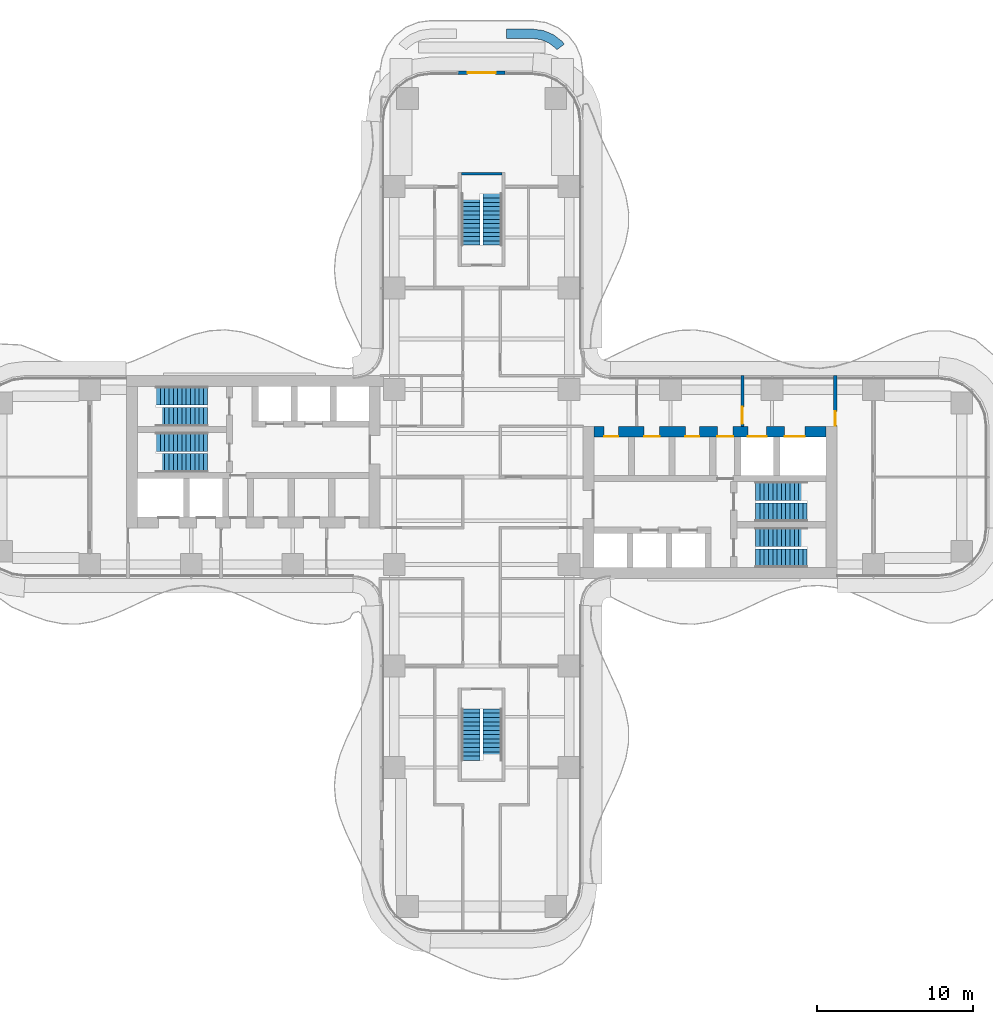
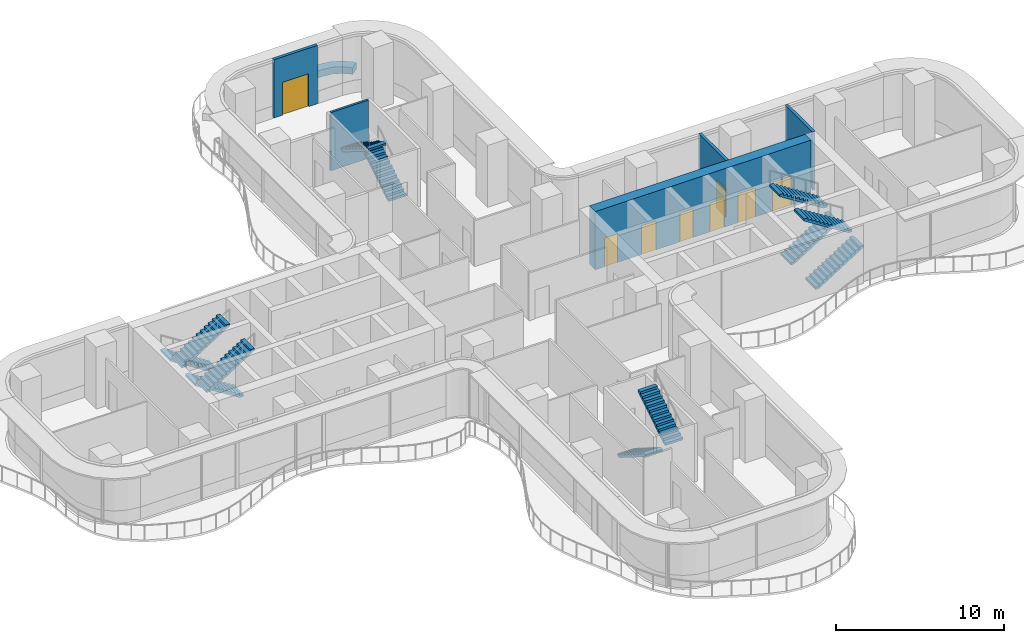
# One storey, part 20 of 22: 12 stair flights, 9 doors, 6 walls, 9 openings, 6 elements without a shape of their own.
"""IFC4 building model written with IfcOpenShell, lengths in metres."""

from ifc_helpers import new_model, si_unit, direction, frame, frame_2d, origin, place, context, subcontext, project, spatial, polyline, rectangle, outline, extrude, source, transform, mapped, material, layer, layer_set, type_object, element, fill, aggregate, save


model = new_model("IFC4")

# Units and contexts
model_context = context("Model", 3, precision=1e-05, world=origin(), true_north=direction((0.0, 1.0)))
body_context = subcontext(model_context, "Body", "Model", "MODEL_VIEW")
ifc_project = project(units=[si_unit("LENGTHUNIT", "METRE"), si_unit("AREAUNIT", "SQUARE_METRE"), si_unit("VOLUMEUNIT", "CUBIC_METRE"), si_unit("PLANEANGLEUNIT", "RADIAN"), si_unit("MASSUNIT", "GRAM", prefix="KILO")], contexts=[model_context])

# Site, building, storey
site_placement = place(None, origin())
site = spatial("IfcSite", under=ifc_project, at=site_placement, CompositionType="ELEMENT")
building_placement = place(site_placement, origin())
building = spatial("IfcBuilding", under=site, at=building_placement, Name="Trellis Farm Tower", CompositionType="ELEMENT")
storey_placement = place(building_placement, frame((0.0, 0.0, 61.0)))
storey = spatial("IfcBuildingStorey", under=building, at=storey_placement, Name="L12", CompositionType="ELEMENT", Elevation=61.0)

# Wall
ifc_material_1 = material(Name="Sandstone faced masonry planter", Category="masonry")
ifc_layer_1 = layer(ifc_material_1, 0.60009765625)
ifc_layer_set_1 = layer_set([ifc_layer_1], Name="PLANTER BED 600")
wall_type_1 = type_object("IfcWallType", Name="PLANTER BED 600", PredefinedType="USERDEFINED", material=ifc_layer_set_1)
placement = place(storey_placement, origin())
element("IfcWall", 1, at=placement, inside=storey, type_object=wall_type_1, Name="PLANTER bed", ObjectType="PLANTER", PredefinedType="USERDEFINED", context=body_context, shape_type="SweptSolid", body=[
    extrude(outline(polyline([(3.947509765625, 28.603515625), (4.59765625, 28.334228515625), (5.15576171875, 27.90576171875), (5.29052734375, 27.730224609375), (4.814697265625, 27.364990234375), (4.727783203125, 27.477783203125), (4.294921875, 27.81005859375), (3.791015625, 28.018798828125), (3.174560546875, 28.10009765625), (1.60009765625, 28.10009765625), (1.60009765625, 28.699951171875), (3.214111328125, 28.699951171875), (3.947509765625, 28.603515625)])), origin(), (0.0, 0.0, 1.0), 0.5),
])

# Wall, opening, door
ifc_material_2 = material(Name="Masonry blockwork", Category="masonry")
ifc_layer_2 = layer(ifc_material_2, 0.199951171875)
ifc_layer_set_2 = layer_set([ifc_layer_2], Name="FIRE LOBBY PARTITION 200 BLOCKWORK")
wall_type_2 = type_object("IfcWallType", Name="FIRE LOBBY PARTITION 200 BLOCKWORK", PredefinedType="PARTITIONING", material=ifc_layer_set_2)
shared_shape_1 = source(origin(), body_context, "Body", "SweptSolid", [
    extrude(rectangle(XDim=3.25, YDim=0.199951171875, at=frame_2d((1.625, 0.0))), origin(), (0.0, 0.0, 1.0), 4.25),
])
wall_2_placement = place(storey_placement, frame((16.699951171875, 3.25, 0.0), z_axis=(0.0, 0.0, 1.0), x_axis=(0.0, 1.0, 0.0)))
wall_2 = element("IfcWall", 2, at=wall_2_placement, inside=storey, type_object=wall_type_2, Name="Fire-fighting lobby partition", PredefinedType="PARTITIONING", context=body_context, shape_type="MappedRepresentation", body=[
    mapped(shared_shape_1, transform((0.0, 0.0, 0.0))),
])
shared_shape_2 = source(origin(), body_context, "Body", "SweptSolid", [
    extrude(rectangle(XDim=1.10009765625, YDim=2.10009765625, at=frame_2d((0.550048828125, 1.050048828125))), frame((0.0, 0.110107421875, 0.0), z_axis=(0.0, -1.0, 0.0), x_axis=(1.0, 0.0, 0.0)), (0.0, 0.0, 1.0), 0.22021484375),
])
opening_1_placement = place(wall_2_placement, frame((0.14990234375, 0.0, 0.0)))
opening_1 = element("IfcOpeningElement", 3, at=opening_1_placement, cuts=wall_2, Name="Opening DC7", PredefinedType="OPENING", context=body_context, shape_type="MappedRepresentation", body=[
    mapped(shared_shape_2, transform((0.0, 0.0, 0.0))),
])
ifc_material_3 = material(Name="Steel", Category="steel")
door_type_1 = type_object("IfcDoorType", Name="CORE FIRE DOOR 1100 X 2100", OperationType="NOTDEFINED", PredefinedType="DOOR", material=ifc_material_3)
shared_shape_3 = source(origin(), body_context, "Body", "SweptSolid", [
    extrude(rectangle(XDim=1.10009765625, YDim=2.10009765625, at=frame_2d((0.550048828125, 1.050048828125))), frame((0.0, 0.02490234375, 0.0), z_axis=(0.0, -1.0, 0.0), x_axis=(1.0, 0.0, 0.0)), (0.0, 0.0, 1.0), 0.050048828125),
])
door_1_placement = place(opening_1_placement, origin())
door_1 = element("IfcDoor", 4, at=door_1_placement, inside=storey, type_object=door_type_1, Name="Core door", OperationType="SINGLE_SWING_RIGHT", OverallHeight=2.10009765625, OverallWidth=1.10009765625, PredefinedType="DOOR", context=body_context, shape_type="MappedRepresentation", body=[
    mapped(shared_shape_3, transform((0.0, 0.0, 0.0))),
])
fill(opening_1, door_1)

wall_3_placement = place(storey_placement, frame((22.64990234375, 3.25, 0.0), z_axis=(0.0, 0.0, 1.0), x_axis=(0.0, 1.0, 0.0)))
wall_3 = element("IfcWall", 5, at=wall_3_placement, inside=storey, type_object=wall_type_2, Name="Fire-fighting lobby partition", PredefinedType="PARTITIONING", context=body_context, shape_type="MappedRepresentation", body=[
    mapped(shared_shape_1, transform((0.0, 0.0, 0.0))),
])
shared_shape_4 = source(origin(), body_context, "Body", "SweptSolid", [
    extrude(rectangle(XDim=0.89990234375, YDim=2.10009765625, at=frame_2d((0.449951171875, 1.050048828125))), frame((0.0, 0.110107421875, 0.0), z_axis=(0.0, -1.0, 0.0), x_axis=(1.0, 0.0, 0.0)), (0.0, 0.0, 1.0), 0.22021484375),
])
opening_2_placement = place(wall_3_placement, frame((0.050048828125, 0.0, 0.0)))
opening_2 = element("IfcOpeningElement", 6, at=opening_2_placement, cuts=wall_3, Name="Opening DC8", PredefinedType="OPENING", context=body_context, shape_type="MappedRepresentation", body=[
    mapped(shared_shape_4, transform((0.0, 0.0, 0.0))),
])
door_type_2 = type_object("IfcDoorType", Name="CORE FIRE DOOR 900 X 2100", OperationType="NOTDEFINED", PredefinedType="DOOR", material=ifc_material_3)
shared_shape_5 = source(origin(), body_context, "Body", "SweptSolid", [
    extrude(rectangle(XDim=0.89990234375, YDim=2.10009765625, at=frame_2d((0.449951171875, 1.050048828125))), frame((0.0, 0.02490234375, 0.0), z_axis=(0.0, -1.0, 0.0), x_axis=(1.0, 0.0, 0.0)), (0.0, 0.0, 1.0), 0.050048828125),
])
door_2_placement = place(opening_2_placement, origin())
door_2 = element("IfcDoor", 7, at=door_2_placement, inside=storey, type_object=door_type_2, Name="Core door", OperationType="SINGLE_SWING_RIGHT", OverallHeight=2.10009765625, OverallWidth=0.89990234375, PredefinedType="DOOR", context=body_context, shape_type="MappedRepresentation", body=[
    mapped(shared_shape_5, transform((0.0, 0.0, 0.0))),
])
fill(opening_2, door_2)

# Wall, openings, doors
ifc_material_4 = material(Name="Concrete C80/95", Category="concrete")
ifc_layer_3 = layer(ifc_material_4, 0.699951171875)
ifc_layer_set_3 = layer_set([ifc_layer_3], Name="CORE OUTER WALL 700 CONCRETE C80/95")
wall_type_3 = type_object("IfcWallType", Name="CORE OUTER WALL 700 CONCRETE C80/95", PredefinedType="SHEAR", material=ifc_layer_set_3)
shared_shape_6 = source(origin(), body_context, "Body", "SweptSolid", [
    extrude(rectangle(XDim=14.85009765625, YDim=0.699951171875, at=frame_2d((7.425048828125, 0.0))), origin(), (0.0, 0.0, 1.0), 4.25),
])
wall_4_placement = place(storey_placement, frame((7.199951171875, 2.89990234375, 0.0), z_axis=(0.0, 0.0, 1.0), x_axis=(1.0, 0.0, 0.0)))
wall_4 = element("IfcWall", 8, at=wall_4_placement, inside=storey, type_object=wall_type_3, Name="Core wall", PredefinedType="SHEAR", context=body_context, shape_type="MappedRepresentation", body=[
    mapped(shared_shape_6, transform((0.0, 0.0, 0.0))),
])
shared_shape_7 = source(origin(), body_context, "Body", "SweptSolid", [
    extrude(rectangle(XDim=1.300048828125, YDim=2.10009765625, at=frame_2d((0.64990234375, 1.050048828125))), frame((0.0, 0.360107421875, 0.0), z_axis=(0.0, -1.0, 0.0), x_axis=(1.0, 0.0, 0.0)), (0.0, 0.0, 1.0), 0.72021484375),
])
opening_3_placement = place(wall_4_placement, frame((12.199951171875, 0.0, 0.0)))
opening_3 = element("IfcOpeningElement", 9, at=opening_3_placement, cuts=wall_4, Name="Opening LD7", PredefinedType="OPENING", context=body_context, shape_type="MappedRepresentation", body=[
    mapped(shared_shape_7, transform((0.0, 0.0, 0.0))),
])
shared_shape_8 = source(origin(), body_context, "Body", "SweptSolid", [
    extrude(rectangle(XDim=1.199951171875, YDim=2.10009765625, at=frame_2d((0.60009765625, 1.050048828125))), frame((0.0, 0.360107421875, 0.0), z_axis=(0.0, -1.0, 0.0), x_axis=(1.0, 0.0, 0.0)), (0.0, 0.0, 1.0), 0.72021484375),
])
opening_4_placement = place(wall_4_placement, frame((9.85009765625, 0.0, 0.0)))
opening_4 = element("IfcOpeningElement", 10, at=opening_4_placement, cuts=wall_4, Name="Opening LD8", PredefinedType="OPENING", context=body_context, shape_type="MappedRepresentation", body=[
    mapped(shared_shape_8, transform((0.0, 0.0, 0.0))),
])
shared_shape_9 = source(origin(), body_context, "Body", "SweptSolid", [
    extrude(rectangle(XDim=1.0, YDim=2.10009765625, at=frame_2d((0.5, 1.050048828125))), frame((0.0, 0.360107421875, 0.0), z_axis=(0.0, -1.0, 0.0), x_axis=(1.0, 0.0, 0.0)), (0.0, 0.0, 1.0), 0.72021484375),
])
opening_5_placement = place(wall_4_placement, frame((7.89990234375, 0.0, 0.0)))
opening_5 = element("IfcOpeningElement", 11, at=opening_5_placement, cuts=wall_4, Name="Opening DC6", PredefinedType="OPENING", context=body_context, shape_type="MappedRepresentation", body=[
    mapped(shared_shape_9, transform((0.0, 0.0, 0.0))),
])
shared_shape_10 = source(origin(), body_context, "Body", "SweptSolid", [
    extrude(rectangle(XDim=0.89990234375, YDim=2.10009765625, at=frame_2d((0.449951171875, 1.050048828125))), frame((0.0, 0.360107421875, 0.0), z_axis=(0.0, -1.0, 0.0), x_axis=(1.0, 0.0, 0.0)), (0.0, 0.0, 1.0), 0.72021484375),
])
opening_6_placement = place(wall_4_placement, frame((0.64990234375, 0.0, 0.0)))
opening_6 = element("IfcOpeningElement", 12, at=opening_6_placement, cuts=wall_4, Name="Opening DC11", PredefinedType="OPENING", context=body_context, shape_type="MappedRepresentation", body=[
    mapped(shared_shape_10, transform((0.0, 0.0, 0.0))),
])
opening_7_placement = place(wall_4_placement, frame((3.199951171875, 0.0, 0.0)))
opening_7 = element("IfcOpeningElement", 13, at=opening_7_placement, cuts=wall_4, Name="Opening DC26", PredefinedType="OPENING", context=body_context, shape_type="MappedRepresentation", body=[
    mapped(shared_shape_9, transform((0.0, 0.0, 0.0))),
])
opening_8_placement = place(wall_4_placement, frame((5.85009765625, 0.0, 0.0)))
opening_8 = element("IfcOpeningElement", 14, at=opening_8_placement, cuts=wall_4, Name="Opening DC35", PredefinedType="OPENING", context=body_context, shape_type="MappedRepresentation", body=[
    mapped(shared_shape_10, transform((0.0, 0.0, 0.0))),
])
door_type_3 = type_object("IfcDoorType", Name="CORE FIRE DOOR 1000 X 2100", OperationType="NOTDEFINED", PredefinedType="DOOR", material=ifc_material_3)
shared_shape_11 = source(origin(), body_context, "Body", "SweptSolid", [
    extrude(rectangle(XDim=1.0, YDim=2.10009765625, at=frame_2d((0.5, 1.050048828125))), frame((0.0, -0.27490234375, 0.0), z_axis=(0.0, -1.0, 0.0), x_axis=(1.0, 0.0, 0.0)), (0.0, 0.0, 1.0), 0.050048828125),
])
door_3_placement = place(opening_5_placement, origin())
door_3 = element("IfcDoor", 15, at=door_3_placement, inside=storey, type_object=door_type_3, Name="Core door", OperationType="SINGLE_SWING_LEFT", OverallHeight=2.10009765625, OverallWidth=1.0, PredefinedType="DOOR", context=body_context, shape_type="MappedRepresentation", body=[
    mapped(shared_shape_11, transform((0.0, 0.0, 0.0))),
])
fill(opening_5, door_3)
door_4_placement = place(opening_7_placement, origin())
door_4 = element("IfcDoor", 16, at=door_4_placement, inside=storey, type_object=door_type_3, Name="Core door", OperationType="SINGLE_SWING_RIGHT", OverallHeight=2.10009765625, OverallWidth=1.0, PredefinedType="DOOR", context=body_context, shape_type="MappedRepresentation", body=[
    mapped(shared_shape_11, transform((0.0, 0.0, 0.0))),
])
fill(opening_7, door_4)
shared_shape_12 = source(origin(), body_context, "Body", "SweptSolid", [
    extrude(rectangle(XDim=0.89990234375, YDim=2.10009765625, at=frame_2d((0.449951171875, 1.050048828125))), frame((0.0, -0.27490234375, 0.0), z_axis=(0.0, -1.0, 0.0), x_axis=(1.0, 0.0, 0.0)), (0.0, 0.0, 1.0), 0.050048828125),
])
door_5_placement = place(opening_6_placement, origin())
door_5 = element("IfcDoor", 17, at=door_5_placement, inside=storey, type_object=door_type_2, Name="Core door", OperationType="SINGLE_SWING_LEFT", OverallHeight=2.10009765625, OverallWidth=0.89990234375, PredefinedType="DOOR", context=body_context, shape_type="MappedRepresentation", body=[
    mapped(shared_shape_12, transform((0.0, 0.0, 0.0))),
])
fill(opening_6, door_5)
door_6_placement = place(opening_8_placement, origin())
door_6 = element("IfcDoor", 18, at=door_6_placement, inside=storey, type_object=door_type_2, Name="Core door", OperationType="SINGLE_SWING_LEFT", OverallHeight=2.10009765625, OverallWidth=0.89990234375, PredefinedType="DOOR", context=body_context, shape_type="MappedRepresentation", body=[
    mapped(shared_shape_12, transform((0.0, 0.0, 0.0))),
])
fill(opening_8, door_6)
ifc_material_5 = material(Name="Stainless steel", Category="steel")
door_type_4 = type_object("IfcDoorType", Name="LIFT LANDING DOOR 1300 X 2100", OperationType="DOUBLE_DOOR_SLIDING", PredefinedType="DOOR", material=ifc_material_5)
shared_shape_13 = source(origin(), body_context, "Body", "SweptSolid", [
    extrude(rectangle(XDim=1.300048828125, YDim=2.10009765625, at=frame_2d((0.64990234375, 1.050048828125))), frame((0.0, -0.27490234375, 0.0), z_axis=(0.0, -1.0, 0.0), x_axis=(1.0, 0.0, 0.0)), (0.0, 0.0, 1.0), 0.050048828125),
])
door_7_placement = place(opening_3_placement, origin())
door_7 = element("IfcDoor", 19, at=door_7_placement, inside=storey, type_object=door_type_4, Name="Lift landing door", OperationType="DOUBLE_DOOR_SLIDING", OverallHeight=2.10009765625, OverallWidth=1.300048828125, PredefinedType="DOOR", context=body_context, shape_type="MappedRepresentation", body=[
    mapped(shared_shape_13, transform((0.0, 0.0, 0.0))),
])
fill(opening_3, door_7)
door_type_5 = type_object("IfcDoorType", Name="LIFT LANDING DOOR 1200 X 2100", OperationType="DOUBLE_DOOR_SLIDING", PredefinedType="DOOR", material=ifc_material_5)
shared_shape_14 = source(origin(), body_context, "Body", "SweptSolid", [
    extrude(rectangle(XDim=1.199951171875, YDim=2.10009765625, at=frame_2d((0.60009765625, 1.050048828125))), frame((0.0, -0.27490234375, 0.0), z_axis=(0.0, -1.0, 0.0), x_axis=(1.0, 0.0, 0.0)), (0.0, 0.0, 1.0), 0.050048828125),
])
door_8_placement = place(opening_4_placement, origin())
door_8 = element("IfcDoor", 20, at=door_8_placement, inside=storey, type_object=door_type_5, Name="Lift landing door", OperationType="DOUBLE_DOOR_SLIDING", OverallHeight=2.10009765625, OverallWidth=1.199951171875, PredefinedType="DOOR", context=body_context, shape_type="MappedRepresentation", body=[
    mapped(shared_shape_14, transform((0.0, 0.0, 0.0))),
])
fill(opening_4, door_8)

# Wall
ifc_layer_4 = layer(ifc_material_4, 0.14990234375)
ifc_layer_set_4 = layer_set([ifc_layer_4], Name="CORE STAIR ENCLOSURE WALL 150 CONCRETE C80/95")
wall_type_4 = type_object("IfcWallType", Name="CORE STAIR ENCLOSURE WALL 150 CONCRETE C80/95", PredefinedType="SHEAR", material=ifc_layer_set_4)
shared_shape_15 = source(origin(), body_context, "Body", "SweptSolid", [
    extrude(rectangle(XDim=2.60009765625, YDim=0.14990234375, at=frame_2d((1.300048828125, 0.0))), origin(), (0.0, 0.0, 1.0), 4.25),
])
wall_5_placement = place(storey_placement, frame((-1.300048828125, 19.425048828125, 0.0), z_axis=(0.0, 0.0, 1.0), x_axis=(1.0, 0.0, 0.0)))
element("IfcWall", 21, at=wall_5_placement, inside=storey, type_object=wall_type_4, Name="Stair enclosure wall", PredefinedType="SHEAR", context=body_context, shape_type="MappedRepresentation", body=[
    mapped(shared_shape_15, transform((0.0, 0.0, 0.0))),
])

# Wall, opening, door
ifc_material_6 = material(Name="Sandstone faced insulated wall", Category="masonry")
ifc_layer_5 = layer(ifc_material_6, 0.199951171875)
ifc_layer_set_5 = layer_set([ifc_layer_5], Name="EXTERNAL INFILL WALL 200")
wall_type_5 = type_object("IfcWallType", Name="EXTERNAL INFILL WALL 200", PredefinedType="SOLIDWALL", material=ifc_layer_set_5)
shared_shape_16 = source(origin(), body_context, "Body", "SweptSolid", [
    extrude(rectangle(XDim=3.0, YDim=0.199951171875, at=frame_2d((1.5, 0.0))), origin(), (0.0, 0.0, 1.0), 4.25),
])
wall_6_placement = place(storey_placement, frame((1.5, 25.89990234375, 0.0), z_axis=(0.0, 0.0, 1.0), x_axis=(-1.0, 0.0, 0.0)))
wall_6 = element("IfcWall", 22, at=wall_6_placement, inside=storey, type_object=wall_type_5, Name="EW1 02", PredefinedType="SOLIDWALL", context=body_context, shape_type="MappedRepresentation", body=[
    mapped(shared_shape_16, transform((0.0, 0.0, 0.0))),
])
shared_shape_17 = source(origin(), body_context, "Body", "SweptSolid", [
    extrude(rectangle(XDim=1.800048828125, YDim=2.39990234375, at=frame_2d((0.89990234375, 1.199951171875))), frame((0.0, 0.110107421875, 0.0), z_axis=(0.0, -1.0, 0.0), x_axis=(1.0, 0.0, 0.0)), (0.0, 0.0, 1.0), 0.22021484375),
])
opening_9_placement = place(wall_6_placement, frame((0.60009765625, 0.0, 0.0)))
opening_9 = element("IfcOpeningElement", 23, at=opening_9_placement, cuts=wall_6, Name="Opening ED1", PredefinedType="OPENING", context=body_context, shape_type="MappedRepresentation", body=[
    mapped(shared_shape_17, transform((0.0, 0.0, 0.0))),
])
ifc_material_7 = material(Name="Aluminium framed glazed door", Category="aluminium")
door_type_6 = type_object("IfcDoorType", Name="BALCONY DOOR 1800x2400", OperationType="DOUBLE_DOOR_SINGLE_SWING", PredefinedType="DOOR", material=ifc_material_7)
shared_shape_18 = source(origin(), body_context, "Body", "SweptSolid", [
    extrude(rectangle(XDim=1.800048828125, YDim=2.39990234375, at=frame_2d((0.89990234375, 1.199951171875))), frame((0.0, 0.02490234375, 0.0), z_axis=(0.0, -1.0, 0.0), x_axis=(1.0, 0.0, 0.0)), (0.0, 0.0, 1.0), 0.050048828125),
])
door_9_placement = place(opening_9_placement, origin())
door_9 = element("IfcDoor", 24, at=door_9_placement, inside=storey, type_object=door_type_6, Name="Balcony door", OperationType="DOUBLE_DOOR_SINGLE_SWING", OverallHeight=2.39990234375, OverallWidth=1.800048828125, PredefinedType="DOOR", context=body_context, shape_type="MappedRepresentation", body=[
    mapped(shared_shape_18, transform((0.0, 0.0, 0.0))),
])
fill(opening_9, door_9)

# Stair, stair flights
ifc_material_8 = material(Name="Concrete C50/60", Category="concrete")
stair_type = type_object("IfcStairType", Name="CORE EXIT STAIR 26 RISERS 173 MM", PredefinedType="HALF_TURN_STAIR", material=ifc_material_8)
stair_1 = element("IfcStair", 25, at=placement, inside=storey, type_object=stair_type, Name="Exit stair N", PredefinedType="HALF_TURN_STAIR")
stair_flight_type = type_object("IfcStairFlightType", Name="STAIR FLIGHT 13 RISERS 173 MM", PredefinedType="STRAIGHT", material=ifc_material_8)
shared_shape_19 = source(origin(), body_context, "Body", "SweptSolid", [
    extrude(outline(polyline([(0.0, 0.0), (0.0, 0.173095703125), (0.27490234375, 0.173095703125), (0.27490234375, 0.34619140625), (0.550048828125, 0.34619140625), (0.550048828125, 0.519287109375), (0.824951171875, 0.519287109375), (0.824951171875, 0.6923828125), (1.10009765625, 0.6923828125), (1.10009765625, 0.865478515625), (1.375, 0.865478515625), (1.375, 1.03857421875), (1.64990234375, 1.03857421875), (1.64990234375, 1.21142578125), (1.925048828125, 1.21142578125), (1.925048828125, 1.384521484375), (2.199951171875, 1.384521484375), (2.199951171875, 1.5576171875), (2.47509765625, 1.5576171875), (2.47509765625, 1.730712890625), (2.75, 1.730712890625), (2.75, 1.90380859375), (3.02490234375, 1.90380859375), (3.02490234375, 2.076904296875), (3.300048828125, 2.076904296875), (3.300048828125, 2.25), (3.300048828125, 1.92333984375), (0.243896484375, 0.0), (0.0, 0.0)])), frame((0.0, 0.60009765625, 0.0), z_axis=(0.0, -1.0, 0.0), x_axis=(1.0, 0.0, 0.0)), (0.0, 0.0, 1.0), 1.199951171875),
])
stair_flight_1_placement = place(storey_placement, frame((0.699951171875, 14.85009765625, 0.0), z_axis=(0.0, 0.0, 1.0), x_axis=(0.0, 1.0, 0.0)))
stair_flight_1 = element("IfcStairFlight", 26, at=stair_flight_1_placement, type_object=stair_flight_type, Name="STN flight 1", NumberOfRisers=13, NumberOfTreads=12, PredefinedType="STRAIGHT", RiserHeight=0.173076923, TreadLength=0.275, context=body_context, shape_type="MappedRepresentation", body=[
    mapped(shared_shape_19, transform((0.0, 0.0, 0.0))),
])
stair_flight_2_placement = place(storey_placement, frame((-0.699951171875, 18.14990234375, 2.25), z_axis=(0.0, 0.0, 1.0), x_axis=(0.0, -1.0, 0.0)))
stair_flight_2 = element("IfcStairFlight", 27, at=stair_flight_2_placement, type_object=stair_flight_type, Name="STN flight 2", NumberOfRisers=13, NumberOfTreads=12, PredefinedType="STRAIGHT", RiserHeight=0.173076923, TreadLength=0.275, context=body_context, shape_type="MappedRepresentation", body=[
    mapped(shared_shape_19, transform((0.0, 0.0, 0.0))),
])
aggregate(stair_1, [stair_flight_1, stair_flight_2])

stair_2 = element("IfcStair", 28, at=placement, inside=storey, type_object=stair_type, Name="Exit stair S", PredefinedType="HALF_TURN_STAIR")
stair_flight_3_placement = place(storey_placement, frame((-0.699951171875, -14.85009765625, 0.0), z_axis=(0.0, 0.0, 1.0), x_axis=(0.0, -1.0, 0.0)))
stair_flight_3 = element("IfcStairFlight", 29, at=stair_flight_3_placement, type_object=stair_flight_type, Name="STS flight 1", NumberOfRisers=13, NumberOfTreads=12, PredefinedType="STRAIGHT", RiserHeight=0.173076923, TreadLength=0.275, context=body_context, shape_type="MappedRepresentation", body=[
    mapped(shared_shape_19, transform((0.0, 0.0, 0.0))),
])
stair_flight_4_placement = place(storey_placement, frame((0.699951171875, -18.14990234375, 2.25), z_axis=(0.0, 0.0, 1.0), x_axis=(0.0, 1.0, 0.0)))
stair_flight_4 = element("IfcStairFlight", 30, at=stair_flight_4_placement, type_object=stair_flight_type, Name="STS flight 2", NumberOfRisers=13, NumberOfTreads=12, PredefinedType="STRAIGHT", RiserHeight=0.173076923, TreadLength=0.275, context=body_context, shape_type="MappedRepresentation", body=[
    mapped(shared_shape_19, transform((0.0, 0.0, 0.0))),
])
aggregate(stair_2, [stair_flight_3, stair_flight_4])

stair_3 = element("IfcStair", 31, at=placement, inside=storey, type_object=stair_type, Name="Exit stair E1", PredefinedType="HALF_TURN_STAIR")
stair_flight_5_placement = place(storey_placement, frame((17.550048828125, -5.199951171875, 0.0), z_axis=(0.0, 0.0, 1.0), x_axis=(1.0, 0.0, 0.0)))
stair_flight_5 = element("IfcStairFlight", 32, at=stair_flight_5_placement, type_object=stair_flight_type, Name="STE1 flight 1", NumberOfRisers=13, NumberOfTreads=12, PredefinedType="STRAIGHT", RiserHeight=0.173076923, TreadLength=0.275, context=body_context, shape_type="MappedRepresentation", body=[
    mapped(shared_shape_19, transform((0.0, 0.0, 0.0))),
])
stair_flight_6_placement = place(storey_placement, frame((20.85009765625, -3.85009765625, 2.25), z_axis=(0.0, 0.0, 1.0), x_axis=(-1.0, 0.0, 0.0)))
stair_flight_6 = element("IfcStairFlight", 33, at=stair_flight_6_placement, type_object=stair_flight_type, Name="STE1 flight 2", NumberOfRisers=13, NumberOfTreads=12, PredefinedType="STRAIGHT", RiserHeight=0.173076923, TreadLength=0.275, context=body_context, shape_type="MappedRepresentation", body=[
    mapped(shared_shape_19, transform((0.0, 0.0, 0.0))),
])
aggregate(stair_3, [stair_flight_5, stair_flight_6])

stair_4 = element("IfcStair", 34, at=placement, inside=storey, type_object=stair_type, Name="Exit stair E2", PredefinedType="HALF_TURN_STAIR")
stair_flight_7_placement = place(storey_placement, frame((17.550048828125, -2.25, 0.0), z_axis=(0.0, 0.0, 1.0), x_axis=(1.0, 0.0, 0.0)))
stair_flight_7 = element("IfcStairFlight", 35, at=stair_flight_7_placement, type_object=stair_flight_type, Name="STE2 flight 1", NumberOfRisers=13, NumberOfTreads=12, PredefinedType="STRAIGHT", RiserHeight=0.173076923, TreadLength=0.275, context=body_context, shape_type="MappedRepresentation", body=[
    mapped(shared_shape_19, transform((0.0, 0.0, 0.0))),
])
stair_flight_8_placement = place(storey_placement, frame((20.85009765625, -0.89990234375, 2.25), z_axis=(0.0, 0.0, 1.0), x_axis=(-1.0, 0.0, 0.0)))
stair_flight_8 = element("IfcStairFlight", 36, at=stair_flight_8_placement, type_object=stair_flight_type, Name="STE2 flight 2", NumberOfRisers=13, NumberOfTreads=12, PredefinedType="STRAIGHT", RiserHeight=0.173076923, TreadLength=0.275, context=body_context, shape_type="MappedRepresentation", body=[
    mapped(shared_shape_19, transform((0.0, 0.0, 0.0))),
])
aggregate(stair_4, [stair_flight_7, stair_flight_8])

stair_5 = element("IfcStair", 37, at=placement, inside=storey, type_object=stair_type, Name="Exit stair W1", PredefinedType="HALF_TURN_STAIR")
stair_flight_9_placement = place(storey_placement, frame((-17.550048828125, 5.199951171875, 0.0), z_axis=(0.0, 0.0, 1.0), x_axis=(-1.0, 0.0, 0.0)))
stair_flight_9 = element("IfcStairFlight", 38, at=stair_flight_9_placement, type_object=stair_flight_type, Name="STW1 flight 1", NumberOfRisers=13, NumberOfTreads=12, PredefinedType="STRAIGHT", RiserHeight=0.173076923, TreadLength=0.275, context=body_context, shape_type="MappedRepresentation", body=[
    mapped(shared_shape_19, transform((0.0, 0.0, 0.0))),
])
stair_flight_10_placement = place(storey_placement, frame((-20.85009765625, 3.85009765625, 2.25), z_axis=(0.0, 0.0, 1.0), x_axis=(1.0, 0.0, 0.0)))
stair_flight_10 = element("IfcStairFlight", 39, at=stair_flight_10_placement, type_object=stair_flight_type, Name="STW1 flight 2", NumberOfRisers=13, NumberOfTreads=12, PredefinedType="STRAIGHT", RiserHeight=0.173076923, TreadLength=0.275, context=body_context, shape_type="MappedRepresentation", body=[
    mapped(shared_shape_19, transform((0.0, 0.0, 0.0))),
])
aggregate(stair_5, [stair_flight_9, stair_flight_10])

stair_6 = element("IfcStair", 40, at=placement, inside=storey, type_object=stair_type, Name="Exit stair W2", PredefinedType="HALF_TURN_STAIR")
stair_flight_11_placement = place(storey_placement, frame((-17.550048828125, 2.25, 0.0), z_axis=(0.0, 0.0, 1.0), x_axis=(-1.0, 0.0, 0.0)))
stair_flight_11 = element("IfcStairFlight", 41, at=stair_flight_11_placement, type_object=stair_flight_type, Name="STW2 flight 1", NumberOfRisers=13, NumberOfTreads=12, PredefinedType="STRAIGHT", RiserHeight=0.173076923, TreadLength=0.275, context=body_context, shape_type="MappedRepresentation", body=[
    mapped(shared_shape_19, transform((0.0, 0.0, 0.0))),
])
stair_flight_12_placement = place(storey_placement, frame((-20.85009765625, 0.89990234375, 2.25), z_axis=(0.0, 0.0, 1.0), x_axis=(1.0, 0.0, 0.0)))
stair_flight_12 = element("IfcStairFlight", 42, at=stair_flight_12_placement, type_object=stair_flight_type, Name="STW2 flight 2", NumberOfRisers=13, NumberOfTreads=12, PredefinedType="STRAIGHT", RiserHeight=0.173076923, TreadLength=0.275, context=body_context, shape_type="MappedRepresentation", body=[
    mapped(shared_shape_19, transform((0.0, 0.0, 0.0))),
])
aggregate(stair_6, [stair_flight_11, stair_flight_12])

save(model, "model.ifc")
